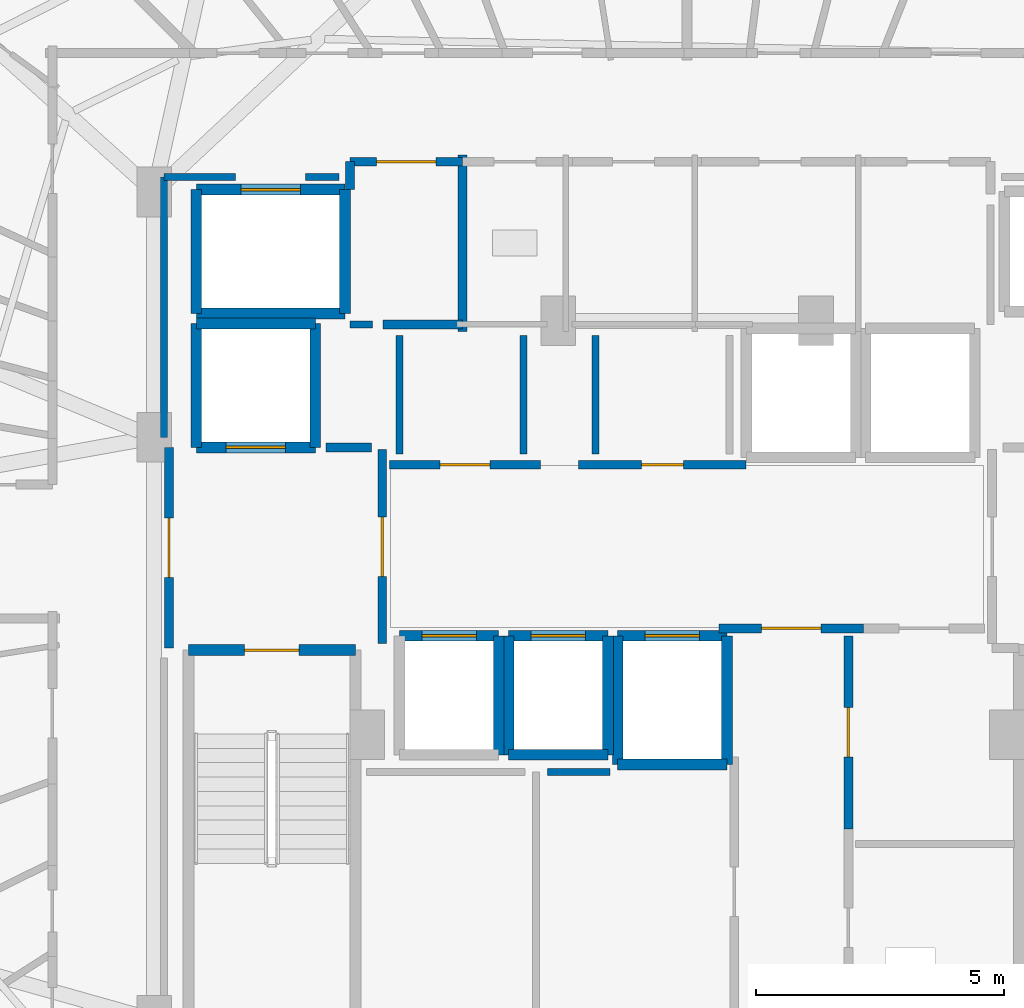
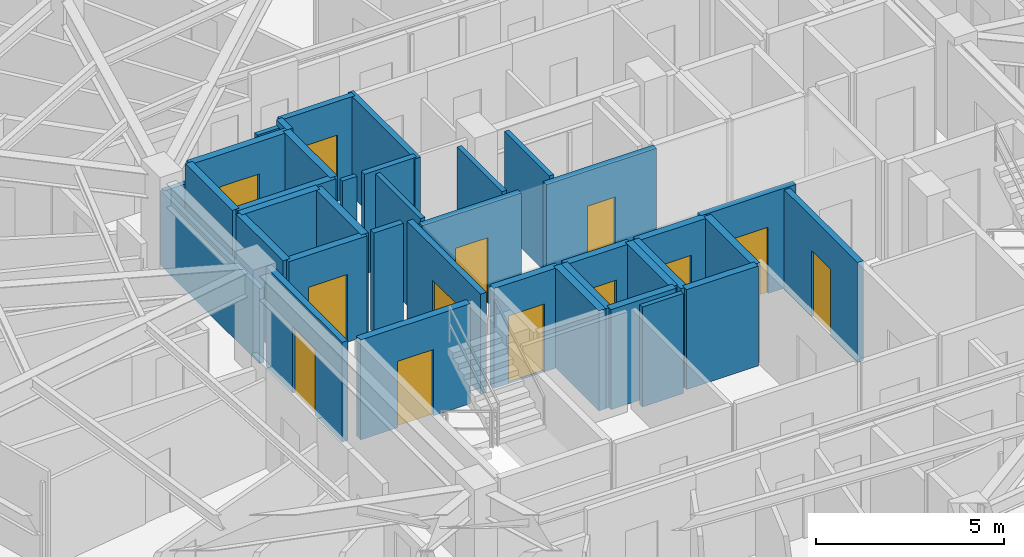
# One storey, part 26 of 34: 38 walls, 13 doors, 13 openings.
"""IFC4 building model written with IfcOpenShell, lengths in metres."""

from ifc_helpers import new_model, si_unit, direction, frame, frame_2d, origin, place, context, subcontext, project, spatial, rectangle, extrude, material, layer, layer_set, type_object, element, fill, save


model = new_model("IFC4")

# Units and contexts
model_context = context("Model", 3, precision=1e-05, world=origin(), true_north=direction((0.0, 1.0)))
body_context = subcontext(model_context, "Body", "Model", "MODEL_VIEW")
ifc_project = project(units=[si_unit("LENGTHUNIT", "METRE"), si_unit("AREAUNIT", "SQUARE_METRE"), si_unit("VOLUMEUNIT", "CUBIC_METRE"), si_unit("PLANEANGLEUNIT", "RADIAN"), si_unit("MASSUNIT", "GRAM", prefix="KILO")], contexts=[model_context])

# Site, building, storey
site_placement = place(None, origin())
site = spatial("IfcSite", under=ifc_project, at=site_placement, CompositionType="ELEMENT")
building_placement = place(site_placement, origin())
building = spatial("IfcBuilding", under=site, at=building_placement, Name="Vorneva Point Tower", CompositionType="ELEMENT")
storey_placement = place(building_placement, frame((0.0, 0.0, 186.10009765625)))
storey = spatial("IfcBuildingStorey", under=building, at=storey_placement, Name="L50", CompositionType="ELEMENT", Elevation=186.10009765625)

# Wall, opening, door
ifc_material_1 = material(Name="Concrete B60 (C50/60)", Category="concrete")
ifc_layer_1 = layer(ifc_material_1, 0.35009765625)
ifc_layer_set_1 = layer_set([ifc_layer_1], Name="Concrete B60 (C50/60)")
wall_type_1 = type_object("IfcWallType", Name="WL-CORE-350", PredefinedType="SHEAR", material=ifc_layer_set_1)
wall_1_placement = place(storey_placement, frame((28.10009765625, 28.0, 0.0), z_axis=(0.0, 0.0, 1.0), x_axis=(1.0, 0.0, 0.0)))
wall_1 = element("IfcWall", 1, at=wall_1_placement, inside=storey, type_object=wall_type_1, Name="L50 Lift FFL1 Shaft Wall -Y", PredefinedType="SHEAR", context=body_context, shape_type="SweptSolid", body=[
    extrude(rectangle(XDim=2.39990234375, YDim=0.219970703125, at=frame_2d((1.199951171875, 0.0))), origin(), (0.0, 0.0, 1.0), 3.239990234375),
])
opening_1_placement = place(wall_1_placement, frame((0.60009765625, 0.0, 0.0)))
opening_1 = element("IfcOpeningElement", 2, at=opening_1_placement, cuts=wall_1, Name="Opening LD-02", PredefinedType="OPENING", context=body_context, shape_type="SweptSolid", body=[
    extrude(rectangle(XDim=1.199951171875, YDim=2.199951171875, at=frame_2d((0.60009765625, 1.10009765625))), frame((0.0, 0.125, 0.0), z_axis=(0.0, -1.0, 0.0), x_axis=(1.0, 0.0, 0.0)), (0.0, 0.0, 1.0), 0.249755859375),
])
ifc_material_2 = material(Name="Brushed stainless steel S304", Category="steel")
door_type_1 = type_object("IfcDoorType", Name="LD-FIRE-1200", OperationType="SLIDING_TO_LEFT", PredefinedType="DOOR", material=ifc_material_2)
door_1_placement = place(opening_1_placement, origin())
door_1 = element("IfcDoor", 3, at=door_1_placement, inside=storey, type_object=door_type_1, Name="L50 Lift FFL1 Sliding Landing Door", OperationType="SLIDING_TO_LEFT", OverallHeight=2.199951171875, OverallWidth=1.199951171875, PredefinedType="DOOR", context=body_context, shape_type="SweptSolid", body=[
    extrude(rectangle(XDim=1.199951171875, YDim=2.199951171875, at=frame_2d((0.60009765625, 1.10009765625))), frame((0.0, 0.02490234375, 0.0), z_axis=(0.0, -1.0, 0.0), x_axis=(1.0, 0.0, 0.0)), (0.0, 0.0, 1.0), 0.050048828125),
])
fill(opening_1, door_1)

# Walls
wall_2_placement = place(storey_placement, frame((30.5, 28.0, 0.0), z_axis=(0.0, 0.0, 1.0), x_axis=(0.0, 1.0, 0.0)))
element("IfcWall", 4, at=wall_2_placement, inside=storey, type_object=wall_type_1, Name="L50 Lift FFL1 Shaft Wall +X", PredefinedType="SHEAR", context=body_context, shape_type="SweptSolid", body=[
    extrude(rectangle(XDim=2.5, YDim=0.219970703125, at=frame_2d((1.25, 0.0))), origin(), (0.0, 0.0, 1.0), 3.239990234375),
])
wall_3_placement = place(storey_placement, frame((30.5, 30.5, 0.0), z_axis=(0.0, 0.0, 1.0), x_axis=(-1.0, 0.0, 0.0)))
element("IfcWall", 5, at=wall_3_placement, inside=storey, type_object=wall_type_1, Name="L50 Lift FFL1 Shaft Wall +Y", PredefinedType="SHEAR", context=body_context, shape_type="SweptSolid", body=[
    extrude(rectangle(XDim=2.39990234375, YDim=0.219970703125, at=frame_2d((1.199951171875, 0.0))), origin(), (0.0, 0.0, 1.0), 3.239990234375),
])
wall_4_placement = place(storey_placement, frame((28.10009765625, 30.5, 0.0), z_axis=(0.0, 0.0, 1.0), x_axis=(0.0, -1.0, 0.0)))
element("IfcWall", 6, at=wall_4_placement, inside=storey, type_object=wall_type_1, Name="L50 Lift FFL1 Shaft Wall -X", PredefinedType="SHEAR", context=body_context, shape_type="SweptSolid", body=[
    extrude(rectangle(XDim=2.5, YDim=0.219970703125, at=frame_2d((1.25, 0.0))), origin(), (0.0, 0.0, 1.0), 3.239990234375),
])
ifc_material_3 = material(Name="Fire-rated acoustic gypsum stud partition", Category="gypsum")
ifc_layer_2 = layer(ifc_material_3, 0.139892578125)
ifc_layer_set_2 = layer_set([ifc_layer_2], Name="Fire-rated acoustic gypsum stud partition")
wall_type_2 = type_object("IfcWallType", Name="WL-PART-140", PredefinedType="PARTITIONING", material=ifc_layer_set_2)
wall_5_placement = place(storey_placement, frame((31.199951171875, 30.47998046875, 0.0), z_axis=(0.0, 0.0, 1.0), x_axis=(1.0, 0.0, 0.0)))
element("IfcWall", 7, at=wall_5_placement, inside=storey, type_object=wall_type_2, Name="L50 Interior Closure Partition 199", PredefinedType="PARTITIONING", context=body_context, shape_type="SweptSolid", body=[
    extrude(rectangle(XDim=0.449951171875, YDim=0.139892578125, at=frame_2d((0.22509765625, 0.0))), origin(), (0.0, 0.0, 1.0), 3.239990234375),
])
wall_6_placement = place(storey_placement, frame((36.43896484375, 21.449951171875, 0.0), z_axis=(0.0, 0.0, 1.0), x_axis=(-1.0, 0.0, 0.0)))
element("IfcWall", 8, at=wall_6_placement, inside=storey, type_object=wall_type_2, Name="L50 Interior Closure Partition 202", PredefinedType="PARTITIONING", context=body_context, shape_type="SweptSolid", body=[
    extrude(rectangle(XDim=1.259033203125, YDim=0.139892578125, at=frame_2d((0.62939453125, 0.0))), origin(), (0.0, 0.0, 1.0), 3.239990234375),
])
for number, where, z_axis, x_axis, name in (
    (9, (32.199951171875, 30.260009765625, 0.0), (0.0, 0.0, 1.0), (0.0, -1.0, 0.0), "L50 Interior Closure Partition 203"),
    (10, (34.699951171875, 27.8701171875, 0.0), (0.0, 0.0, 1.0), (0.0, 1.0, 0.0), "L50 Interior Closure Partition 204"),
    (11, (36.14990234375, 30.260009765625, 0.0), (0.0, 0.0, 1.0), (0.0, -1.0, 0.0), "L50 Interior Closure Partition 205"),
):
    element("IfcWall", number, at=place(storey_placement, frame(where, z_axis=z_axis, x_axis=x_axis)), inside=storey, type_object=wall_type_2, Name=name, PredefinedType="PARTITIONING", context=body_context, shape_type="SweptSolid", body=[
        extrude(rectangle(XDim=2.389892578125, YDim=0.139892578125, at=frame_2d((1.19482421875, 0.0))), origin(), (0.0, 0.0, 1.0), 3.239990234375),
    ])
wall_7_placement = place(storey_placement, frame((30.97998046875, 33.449951171875, 0.0), z_axis=(0.0, 0.0, 1.0), x_axis=(-1.0, 0.0, 0.0)))
element("IfcWall", 12, at=wall_7_placement, inside=storey, type_object=wall_type_2, Name="L50 Interior Closure Partition 209", PredefinedType="PARTITIONING", context=body_context, shape_type="SweptSolid", body=[
    extrude(rectangle(XDim=0.674072265625, YDim=0.139892578125, at=frame_2d((0.3369140625, 0.0))), origin(), (0.0, 0.0, 1.0), 3.239990234375),
])
wall_8_placement = place(storey_placement, frame((28.89404296875, 33.449951171875, 0.0), z_axis=(0.0, 0.0, 1.0), x_axis=(-1.0, 0.0, 0.0)))
element("IfcWall", 13, at=wall_8_placement, inside=storey, type_object=wall_type_2, Name="L50 Interior Closure Partition 210", PredefinedType="PARTITIONING", context=body_context, shape_type="SweptSolid", body=[
    extrude(rectangle(XDim=1.444091796875, YDim=0.139892578125, at=frame_2d((0.72216796875, 0.0))), origin(), (0.0, 0.0, 1.0), 2.431884765625),
])
wall_9_placement = place(storey_placement, frame((27.449951171875, 33.449951171875, 0.0), z_axis=(0.0, 0.0, 1.0), x_axis=(0.0, -1.0, 0.0)))
element("IfcWall", 14, at=wall_9_placement, inside=storey, type_object=wall_type_2, Name="L50 Interior Closure Partition 211", PredefinedType="PARTITIONING", context=body_context, shape_type="SweptSolid", body=[
    extrude(rectangle(XDim=5.25390625, YDim=0.139892578125, at=frame_2d((2.626953125, 0.0))), origin(), (0.0, 0.0, 1.0), 2.431884765625),
])

# Wall, opening, door
ifc_material_4 = material(Name="Autoclaved aerated concrete blockwork", Category="masonry")
ifc_layer_3 = layer(ifc_material_4, 0.179931640625)
ifc_layer_set_3 = layer_set([ifc_layer_3], Name="Autoclaved aerated concrete blockwork")
wall_type_3 = type_object("IfcWallType", Name="WL-PART-180", PredefinedType="PARTITIONING", material=ifc_layer_set_3)
wall_10_placement = place(storey_placement, frame((31.85009765625, 24.044921875, 0.0), z_axis=(0.0, 0.0, 1.0), x_axis=(0.0, 1.0, 0.0)))
wall_10 = element("IfcWall", 15, at=wall_10_placement, inside=storey, type_object=wall_type_3, Name="L50 Interior Partition 001", PredefinedType="PARTITIONING", context=body_context, shape_type="SweptSolid", body=[
    extrude(rectangle(XDim=3.91015625, YDim=0.179931640625, at=frame_2d((1.955078125, 0.0))), origin(), (0.0, 0.0, 1.0), 3.239990234375),
])
opening_2_placement = place(wall_10_placement, frame((1.35498046875, 0.0, 0.0)))
opening_2 = element("IfcOpeningElement", 16, at=opening_2_placement, cuts=wall_10, Name="Opening FD-02", PredefinedType="OPENING", context=body_context, shape_type="SweptSolid", body=[
    extrude(rectangle(XDim=1.199951171875, YDim=2.14990234375, at=frame_2d((0.60009765625, 1.074951171875))), frame((0.0, 0.10498046875, 0.0), z_axis=(0.0, -1.0, 0.0), x_axis=(1.0, 0.0, 0.0)), (0.0, 0.0, 1.0), 0.209716796875),
])
ifc_material_5 = material(Name="Fire-rated powder-coated steel", Category="steel")
door_type_2 = type_object("IfcDoorType", Name="DR-FFL-1200", OperationType="NOTDEFINED", PredefinedType="DOOR", material=ifc_material_5)
door_2_placement = place(opening_2_placement, origin())
door_2 = element("IfcDoor", 17, at=door_2_placement, inside=storey, type_object=door_type_2, Name="L50 Door West Firefighting Lobby / Central Lift Lobby", OperationType="SINGLE_SWING_LEFT", OverallHeight=2.14990234375, OverallWidth=1.199951171875, PredefinedType="DOOR", context=body_context, shape_type="SweptSolid", body=[
    extrude(rectangle(XDim=1.199951171875, YDim=2.14990234375, at=frame_2d((0.60009765625, 1.074951171875))), frame((0.0, 0.02490234375, 0.0), z_axis=(0.0, -1.0, 0.0), x_axis=(1.0, 0.0, 0.0)), (0.0, 0.0, 1.0), 0.050048828125),
])
fill(opening_2, door_2)

wall_11_placement = place(storey_placement, frame((27.550048828125, 28.0, 0.0), z_axis=(0.0, 0.0, 1.0), x_axis=(0.0, -1.0, 0.0)))
wall_11 = element("IfcWall", 18, at=wall_11_placement, inside=storey, type_object=wall_type_3, Name="L50 Interior Partition 002", PredefinedType="PARTITIONING", context=body_context, shape_type="SweptSolid", body=[
    extrude(rectangle(XDim=4.050048828125, YDim=0.179931640625, at=frame_2d((2.02490234375, 0.0))), origin(), (0.0, 0.0, 1.0), 3.239990234375),
])
opening_3_placement = place(wall_11_placement, frame((1.425048828125, 0.0, 0.0)))
opening_3 = element("IfcOpeningElement", 19, at=opening_3_placement, cuts=wall_11, Name="Opening FD-02", PredefinedType="OPENING", context=body_context, shape_type="SweptSolid", body=[
    extrude(rectangle(XDim=1.199951171875, YDim=2.14990234375, at=frame_2d((0.60009765625, 1.074951171875))), frame((0.0, 0.10498046875, 0.0), z_axis=(0.0, -1.0, 0.0), x_axis=(1.0, 0.0, 0.0)), (0.0, 0.0, 1.0), 0.209716796875),
])
door_3_placement = place(opening_3_placement, origin())
door_3 = element("IfcDoor", 20, at=door_3_placement, inside=storey, type_object=door_type_2, Name="L50 Door West Firefighting Lobby / L50 Circulation Corridor", OperationType="SINGLE_SWING_RIGHT", OverallHeight=2.14990234375, OverallWidth=1.199951171875, PredefinedType="DOOR", context=body_context, shape_type="SweptSolid", body=[
    extrude(rectangle(XDim=1.199951171875, YDim=2.14990234375, at=frame_2d((0.60009765625, 1.074951171875))), frame((0.0, 0.02490234375, 0.0), z_axis=(0.0, -1.0, 0.0), x_axis=(1.0, 0.0, 0.0)), (0.0, 0.0, 1.0), 0.050048828125),
])
fill(opening_3, door_3)

# Walls
wall_12_placement = place(storey_placement, frame((33.469970703125, 30.340087890625, 0.0), z_axis=(0.0, 0.0, 1.0), x_axis=(0.0, 1.0, 0.0)))
element("IfcWall", 21, at=wall_12_placement, inside=storey, type_object=wall_type_3, Name="L50 Interior Partition 006", PredefinedType="PARTITIONING", context=body_context, shape_type="SweptSolid", body=[
    extrude(rectangle(XDim=3.559814453125, YDim=0.179931640625, at=frame_2d((1.77978515625, 0.0))), origin(), (0.0, 0.0, 1.0), 3.239990234375),
])
wall_13_placement = place(storey_placement, frame((31.8701171875, 30.47998046875, 0.0), z_axis=(0.0, 0.0, 1.0), x_axis=(1.0, 0.0, 0.0)))
element("IfcWall", 22, at=wall_13_placement, inside=storey, type_object=wall_type_3, Name="L50 Interior Partition 007", PredefinedType="PARTITIONING", context=body_context, shape_type="SweptSolid", body=[
    extrude(rectangle(XDim=1.599853515625, YDim=0.179931640625, at=frame_2d((0.7998046875, 0.0))), origin(), (0.0, 0.0, 1.0), 3.239990234375),
])

# Wall, opening, door
wall_14_placement = place(storey_placement, frame((33.469970703125, 33.760009765625, 0.0), z_axis=(0.0, 0.0, 1.0), x_axis=(-1.0, 0.0, 0.0)))
wall_14 = element("IfcWall", 23, at=wall_14_placement, inside=storey, type_object=wall_type_3, Name="L50 Interior Partition 008", PredefinedType="PARTITIONING", context=body_context, shape_type="SweptSolid", body=[
    extrude(rectangle(XDim=2.27001953125, YDim=0.179931640625, at=frame_2d((1.135009765625, 0.0))), origin(), (0.0, 0.0, 1.0), 3.239990234375),
])
opening_4_placement = place(wall_14_placement, frame((0.534912109375, 0.0, 0.0)))
opening_4 = element("IfcOpeningElement", 24, at=opening_4_placement, cuts=wall_14, Name="Opening FD-02", PredefinedType="OPENING", context=body_context, shape_type="SweptSolid", body=[
    extrude(rectangle(XDim=1.199951171875, YDim=2.14990234375, at=frame_2d((0.60009765625, 1.074951171875))), frame((0.0, 0.10498046875, 0.0), z_axis=(0.0, -1.0, 0.0), x_axis=(1.0, 0.0, 0.0)), (0.0, 0.0, 1.0), 0.209716796875),
])
door_4_placement = place(opening_4_placement, origin())
door_4 = element("IfcDoor", 25, at=door_4_placement, inside=storey, type_object=door_type_2, Name="L50 Door Service Lift Lobby / L50 Circulation Corridor", OperationType="SINGLE_SWING_LEFT", OverallHeight=2.14990234375, OverallWidth=1.199951171875, PredefinedType="DOOR", context=body_context, shape_type="SweptSolid", body=[
    extrude(rectangle(XDim=1.199951171875, YDim=2.14990234375, at=frame_2d((0.60009765625, 1.074951171875))), frame((0.0, 0.02490234375, 0.0), z_axis=(0.0, -1.0, 0.0), x_axis=(1.0, 0.0, 0.0)), (0.0, 0.0, 1.0), 0.050048828125),
])
fill(opening_4, door_4)

# Wall
wall_15_placement = place(storey_placement, frame((31.199951171875, 33.760009765625, 0.0), z_axis=(0.0, 0.0, 1.0), x_axis=(0.0, -1.0, 0.0)))
element("IfcWall", 26, at=wall_15_placement, inside=storey, type_object=wall_type_3, Name="L50 Interior Partition 009", PredefinedType="PARTITIONING", context=body_context, shape_type="SweptSolid", body=[
    extrude(rectangle(XDim=0.56005859375, YDim=0.179931640625, at=frame_2d((0.280029296875, 0.0))), origin(), (0.0, 0.0, 1.0), 3.239990234375),
])

# Wall, opening, door
wall_16_placement = place(storey_placement, frame((38.64501953125, 24.35009765625, 0.0), z_axis=(0.0, 0.0, 1.0), x_axis=(1.0, 0.0, 0.0)))
wall_16 = element("IfcWall", 27, at=wall_16_placement, inside=storey, type_object=wall_type_3, Name="L50 Interior Partition 010", PredefinedType="PARTITIONING", context=body_context, shape_type="SweptSolid", body=[
    extrude(rectangle(XDim=2.909912109375, YDim=0.179931640625, at=frame_2d((1.455078125, 0.0))), origin(), (0.0, 0.0, 1.0), 3.239990234375),
])
opening_5_placement = place(wall_16_placement, frame((0.85498046875, 0.0, 0.0)))
opening_5 = element("IfcOpeningElement", 28, at=opening_5_placement, cuts=wall_16, Name="Opening FD-02", PredefinedType="OPENING", context=body_context, shape_type="SweptSolid", body=[
    extrude(rectangle(XDim=1.199951171875, YDim=2.14990234375, at=frame_2d((0.60009765625, 1.074951171875))), frame((0.0, 0.10498046875, 0.0), z_axis=(0.0, -1.0, 0.0), x_axis=(1.0, 0.0, 0.0)), (0.0, 0.0, 1.0), 0.209716796875),
])
door_5_placement = place(opening_5_placement, origin())
door_5 = element("IfcDoor", 29, at=door_5_placement, inside=storey, type_object=door_type_2, Name="L50 Door Central Lift Lobby / Core Service Lobby", OperationType="SINGLE_SWING_RIGHT", OverallHeight=2.14990234375, OverallWidth=1.199951171875, PredefinedType="DOOR", context=body_context, shape_type="SweptSolid", body=[
    extrude(rectangle(XDim=1.199951171875, YDim=2.14990234375, at=frame_2d((0.60009765625, 1.074951171875))), frame((0.0, 0.02490234375, 0.0), z_axis=(0.0, -1.0, 0.0), x_axis=(1.0, 0.0, 0.0)), (0.0, 0.0, 1.0), 0.050048828125),
])
fill(opening_5, door_5)

wall_17_placement = place(storey_placement, frame((35.0400390625, 27.64990234375, 0.0), z_axis=(0.0, 0.0, 1.0), x_axis=(-1.0, 0.0, 0.0)))
wall_17 = element("IfcWall", 30, at=wall_17_placement, inside=storey, type_object=wall_type_3, Name="L50 Interior Partition 012", PredefinedType="PARTITIONING", context=body_context, shape_type="SweptSolid", body=[
    extrude(rectangle(XDim=3.0400390625, YDim=0.179931640625, at=frame_2d((1.52001953125, 0.0))), origin(), (0.0, 0.0, 1.0), 3.239990234375),
])
opening_6_placement = place(wall_17_placement, frame((1.02001953125, 0.0, 0.0)))
opening_6 = element("IfcOpeningElement", 31, at=opening_6_placement, cuts=wall_17, Name="Opening UD-01", PredefinedType="OPENING", context=body_context, shape_type="SweptSolid", body=[
    extrude(rectangle(XDim=1.0, YDim=2.14990234375, at=frame_2d((0.5, 1.074951171875))), frame((0.0, 0.10498046875, 0.0), z_axis=(0.0, -1.0, 0.0), x_axis=(1.0, 0.0, 0.0)), (0.0, 0.0, 1.0), 0.209716796875),
])
ifc_material_6 = material(Name="Engineered oak fire-rated door leaf", Category="wood")
door_type_3 = type_object("IfcDoorType", Name="DR-UNIT-1000", OperationType="NOTDEFINED", PredefinedType="DOOR", material=ifc_material_6)
door_6_placement = place(opening_6_placement, origin())
door_6 = element("IfcDoor", 32, at=door_6_placement, inside=storey, type_object=door_type_3, Name="L50 Door Central Lift Lobby / Reclaimed Core Lounge", OperationType="SINGLE_SWING_RIGHT", OverallHeight=2.14990234375, OverallWidth=1.0, PredefinedType="DOOR", context=body_context, shape_type="SweptSolid", body=[
    extrude(rectangle(XDim=1.0, YDim=2.14990234375, at=frame_2d((0.5, 1.074951171875))), frame((0.0, 0.02490234375, 0.0), z_axis=(0.0, -1.0, 0.0), x_axis=(1.0, 0.0, 0.0)), (0.0, 0.0, 1.0), 0.050048828125),
])
fill(opening_6, door_6)

wall_18_placement = place(storey_placement, frame((39.18994140625, 27.64990234375, 0.0), z_axis=(0.0, 0.0, 1.0), x_axis=(-1.0, 0.0, 0.0)))
wall_18 = element("IfcWall", 33, at=wall_18_placement, inside=storey, type_object=wall_type_3, Name="L50 Interior Partition 013", PredefinedType="PARTITIONING", context=body_context, shape_type="SweptSolid", body=[
    extrude(rectangle(XDim=3.3798828125, YDim=0.179931640625, at=frame_2d((1.68994140625, 0.0))), origin(), (0.0, 0.0, 1.0), 3.239990234375),
])
opening_7_placement = place(wall_18_placement, frame((1.264892578125, 0.0, 0.0)))
opening_7 = element("IfcOpeningElement", 34, at=opening_7_placement, cuts=wall_18, Name="Opening ID-02", PredefinedType="OPENING", context=body_context, shape_type="SweptSolid", body=[
    extrude(rectangle(XDim=0.85009765625, YDim=2.10009765625, at=frame_2d((0.425048828125, 1.050048828125))), frame((0.0, 0.10498046875, 0.0), z_axis=(0.0, -1.0, 0.0), x_axis=(1.0, 0.0, 0.0)), (0.0, 0.0, 1.0), 0.209716796875),
])
door_type_4 = type_object("IfcDoorType", Name="DR-BATH-850", OperationType="NOTDEFINED", PredefinedType="DOOR", material=ifc_material_6)
door_7_placement = place(opening_7_placement, origin())
door_7 = element("IfcDoor", 35, at=door_7_placement, inside=storey, type_object=door_type_4, Name="L50 Door Central Lift Lobby / Reclaimed Core Archive Store", OperationType="SINGLE_SWING_LEFT", OverallHeight=2.10009765625, OverallWidth=0.85009765625, PredefinedType="DOOR", context=body_context, shape_type="SweptSolid", body=[
    extrude(rectangle(XDim=0.85009765625, YDim=2.10009765625, at=frame_2d((0.425048828125, 1.050048828125))), frame((0.0, 0.02490234375, 0.0), z_axis=(0.0, -1.0, 0.0), x_axis=(1.0, 0.0, 0.0)), (0.0, 0.0, 1.0), 0.050048828125),
])
fill(opening_7, door_7)

wall_19_placement = place(storey_placement, frame((41.25, 20.304931640625, 0.0), z_axis=(0.0, 0.0, 1.0), x_axis=(0.0, 1.0, 0.0)))
wall_19 = element("IfcWall", 36, at=wall_19_placement, inside=storey, type_object=wall_type_3, Name="L50 Interior Partition 015", PredefinedType="PARTITIONING", context=body_context, shape_type="SweptSolid", body=[
    extrude(rectangle(XDim=3.89501953125, YDim=0.179931640625, at=frame_2d((1.947509765625, 0.0))), origin(), (0.0, 0.0, 1.0), 3.239990234375),
])
opening_8_placement = place(wall_19_placement, frame((1.447509765625, 0.0, 0.0)))
opening_8 = element("IfcOpeningElement", 37, at=opening_8_placement, cuts=wall_19, Name="Opening UD-01", PredefinedType="OPENING", context=body_context, shape_type="SweptSolid", body=[
    extrude(rectangle(XDim=1.0, YDim=2.14990234375, at=frame_2d((0.5, 1.074951171875))), frame((0.0, 0.10498046875, 0.0), z_axis=(0.0, -1.0, 0.0), x_axis=(1.0, 0.0, 0.0)), (0.0, 0.0, 1.0), 0.209716796875),
])
door_8_placement = place(opening_8_placement, origin())
door_8 = element("IfcDoor", 38, at=door_8_placement, inside=storey, type_object=door_type_3, Name="L50 Door Core Service Lobby / Floor Management Office", OperationType="SINGLE_SWING_LEFT", OverallHeight=2.14990234375, OverallWidth=1.0, PredefinedType="DOOR", context=body_context, shape_type="SweptSolid", body=[
    extrude(rectangle(XDim=1.0, YDim=2.14990234375, at=frame_2d((0.5, 1.074951171875))), frame((0.0, 0.02490234375, 0.0), z_axis=(0.0, -1.0, 0.0), x_axis=(1.0, 0.0, 0.0)), (0.0, 0.0, 1.0), 0.050048828125),
])
fill(opening_8, door_8)

# Wall
wall_20_placement = place(storey_placement, frame((31.635009765625, 28.0, 0.0), z_axis=(0.0, 0.0, 1.0), x_axis=(-1.0, 0.0, 0.0)))
element("IfcWall", 39, at=wall_20_placement, inside=storey, type_object=wall_type_3, Name="L50 Interior Closure Partition 197", PredefinedType="PARTITIONING", context=body_context, shape_type="SweptSolid", body=[
    extrude(rectangle(XDim=0.9150390625, YDim=0.179931640625, at=frame_2d((0.45751953125, 0.0))), origin(), (0.0, 0.0, 1.0), 3.239990234375),
])

# Wall, opening, door
ifc_material_7 = material(Name="Concrete B50 (C40/50)", Category="concrete")
ifc_layer_4 = layer(ifc_material_7, 0.219970703125)
ifc_layer_set_4 = layer_set([ifc_layer_4], Name="Concrete B50 (C40/50)")
wall_type_4 = type_object("IfcWallType", Name="WL-SHFT-220", PredefinedType="SOLIDWALL", material=ifc_layer_set_4)
wall_21_placement = place(storey_placement, frame((27.93994140625, 23.909912109375, 0.0), z_axis=(0.0, 0.0, 1.0), x_axis=(1.0, 0.0, 0.0)))
wall_21 = element("IfcWall", 40, at=wall_21_placement, inside=storey, type_object=wall_type_4, Name="L50 Exit Stair ST1 Shaft Wall near", PredefinedType="SOLIDWALL", context=body_context, shape_type="SweptSolid", body=[
    extrude(rectangle(XDim=3.3701171875, YDim=0.219970703125, at=frame_2d((1.68505859375, 0.0))), origin(), (0.0, 0.0, 1.0), 3.239990234375),
])
opening_9_placement = place(wall_21_placement, frame((1.135009765625, 0.0, 0.0)))
opening_9 = element("IfcOpeningElement", 41, at=opening_9_placement, cuts=wall_21, Name="Opening FD-01", PredefinedType="OPENING", context=body_context, shape_type="SweptSolid", body=[
    extrude(rectangle(XDim=1.10009765625, YDim=2.14990234375, at=frame_2d((0.550048828125, 1.074951171875))), frame((0.0, 0.125, 0.0), z_axis=(0.0, -1.0, 0.0), x_axis=(1.0, 0.0, 0.0)), (0.0, 0.0, 1.0), 0.249755859375),
])
door_type_5 = type_object("IfcDoorType", Name="DR-STAIR-1100", OperationType="NOTDEFINED", PredefinedType="DOOR", material=ifc_material_5)
door_9_placement = place(opening_9_placement, origin())
door_9 = element("IfcDoor", 42, at=door_9_placement, inside=storey, type_object=door_type_5, Name="L50 Exit Stair ST1 Fire Door", OperationType="SINGLE_SWING_RIGHT", OverallHeight=2.14990234375, OverallWidth=1.10009765625, PredefinedType="DOOR", context=body_context, shape_type="SweptSolid", body=[
    extrude(rectangle(XDim=1.10009765625, YDim=2.14990234375, at=frame_2d((0.550048828125, 1.074951171875))), frame((0.0, 0.02490234375, 0.0), z_axis=(0.0, -1.0, 0.0), x_axis=(1.0, 0.0, 0.0)), (0.0, 0.0, 1.0), 0.050048828125),
])
fill(opening_9, door_9)

# Wall
wall_22_placement = place(storey_placement, frame((34.199951171875, 21.800048828125, 0.0), z_axis=(0.0, 0.0, 1.0), x_axis=(0.0, 1.0, 0.0)))
element("IfcWall", 43, at=wall_22_placement, inside=storey, type_object=wall_type_4, Name="L50 Lift PL4 Shaft Wall +X", PredefinedType="SOLIDWALL", context=body_context, shape_type="SweptSolid", body=[
    extrude(rectangle(XDim=2.39990234375, YDim=0.219970703125, at=frame_2d((1.199951171875, 0.0))), origin(), (0.0, 0.0, 1.0), 3.239990234375),
])

# Wall, opening, door
wall_23_placement = place(storey_placement, frame((34.199951171875, 24.199951171875, 0.0), z_axis=(0.0, 0.0, 1.0), x_axis=(-1.0, 0.0, 0.0)))
wall_23 = element("IfcWall", 44, at=wall_23_placement, inside=storey, type_object=wall_type_4, Name="L50 Lift PL4 Shaft Wall +Y", PredefinedType="SOLIDWALL", context=body_context, shape_type="SweptSolid", body=[
    extrude(rectangle(XDim=2.0, YDim=0.219970703125, at=frame_2d((1.0, 0.0))), origin(), (0.0, 0.0, 1.0), 3.239990234375),
])
opening_10_placement = place(wall_23_placement, frame((0.449951171875, 0.0, 0.0)))
opening_10 = element("IfcOpeningElement", 45, at=opening_10_placement, cuts=wall_23, Name="Opening LD-01", PredefinedType="OPENING", context=body_context, shape_type="SweptSolid", body=[
    extrude(rectangle(XDim=1.10009765625, YDim=2.199951171875, at=frame_2d((0.550048828125, 1.10009765625))), frame((0.0, 0.125, 0.0), z_axis=(0.0, -1.0, 0.0), x_axis=(1.0, 0.0, 0.0)), (0.0, 0.0, 1.0), 0.249755859375),
])
door_type_6 = type_object("IfcDoorType", Name="LD-PASS-1100", OperationType="SLIDING_TO_LEFT", PredefinedType="DOOR", material=ifc_material_2)
door_10_placement = place(opening_10_placement, origin())
door_10 = element("IfcDoor", 46, at=door_10_placement, inside=storey, type_object=door_type_6, Name="L50 Lift PL4 Sliding Landing Door", OperationType="SLIDING_TO_LEFT", OverallHeight=2.199951171875, OverallWidth=1.10009765625, PredefinedType="DOOR", context=body_context, shape_type="SweptSolid", body=[
    extrude(rectangle(XDim=1.10009765625, YDim=2.199951171875, at=frame_2d((0.550048828125, 1.10009765625))), frame((0.0, 0.02490234375, 0.0), z_axis=(0.0, -1.0, 0.0), x_axis=(1.0, 0.0, 0.0)), (0.0, 0.0, 1.0), 0.050048828125),
])
fill(opening_10, door_10)

# Walls
wall_24_placement = place(storey_placement, frame((34.39990234375, 21.800048828125, 0.0), z_axis=(0.0, 0.0, 1.0), x_axis=(1.0, 0.0, 0.0)))
element("IfcWall", 47, at=wall_24_placement, inside=storey, type_object=wall_type_4, Name="L50 Lift PL5 Shaft Wall -Y", PredefinedType="SOLIDWALL", context=body_context, shape_type="SweptSolid", body=[
    extrude(rectangle(XDim=2.0, YDim=0.219970703125, at=frame_2d((1.0, 0.0))), origin(), (0.0, 0.0, 1.0), 3.239990234375),
])
wall_25_placement = place(storey_placement, frame((36.39990234375, 21.800048828125, 0.0), z_axis=(0.0, 0.0, 1.0), x_axis=(0.0, 1.0, 0.0)))
element("IfcWall", 48, at=wall_25_placement, inside=storey, type_object=wall_type_4, Name="L50 Lift PL5 Shaft Wall +X", PredefinedType="SOLIDWALL", context=body_context, shape_type="SweptSolid", body=[
    extrude(rectangle(XDim=2.39990234375, YDim=0.219970703125, at=frame_2d((1.199951171875, 0.0))), origin(), (0.0, 0.0, 1.0), 3.239990234375),
])

# Wall, opening, door
wall_26_placement = place(storey_placement, frame((36.39990234375, 24.199951171875, 0.0), z_axis=(0.0, 0.0, 1.0), x_axis=(-1.0, 0.0, 0.0)))
wall_26 = element("IfcWall", 49, at=wall_26_placement, inside=storey, type_object=wall_type_4, Name="L50 Lift PL5 Shaft Wall +Y", PredefinedType="SOLIDWALL", context=body_context, shape_type="SweptSolid", body=[
    extrude(rectangle(XDim=2.0, YDim=0.219970703125, at=frame_2d((1.0, 0.0))), origin(), (0.0, 0.0, 1.0), 3.239990234375),
])
opening_11_placement = place(wall_26_placement, frame((0.449951171875, 0.0, 0.0)))
opening_11 = element("IfcOpeningElement", 50, at=opening_11_placement, cuts=wall_26, Name="Opening LD-01", PredefinedType="OPENING", context=body_context, shape_type="SweptSolid", body=[
    extrude(rectangle(XDim=1.10009765625, YDim=2.199951171875, at=frame_2d((0.550048828125, 1.10009765625))), frame((0.0, 0.125, 0.0), z_axis=(0.0, -1.0, 0.0), x_axis=(1.0, 0.0, 0.0)), (0.0, 0.0, 1.0), 0.249755859375),
])
door_11_placement = place(opening_11_placement, origin())
door_11 = element("IfcDoor", 51, at=door_11_placement, inside=storey, type_object=door_type_6, Name="L50 Lift PL5 Sliding Landing Door", OperationType="SLIDING_TO_LEFT", OverallHeight=2.199951171875, OverallWidth=1.10009765625, PredefinedType="DOOR", context=body_context, shape_type="SweptSolid", body=[
    extrude(rectangle(XDim=1.10009765625, YDim=2.199951171875, at=frame_2d((0.550048828125, 1.10009765625))), frame((0.0, 0.02490234375, 0.0), z_axis=(0.0, -1.0, 0.0), x_axis=(1.0, 0.0, 0.0)), (0.0, 0.0, 1.0), 0.050048828125),
])
fill(opening_11, door_11)

# Walls
wall_27_placement = place(storey_placement, frame((34.39990234375, 24.199951171875, 0.0), z_axis=(0.0, 0.0, 1.0), x_axis=(0.0, -1.0, 0.0)))
element("IfcWall", 52, at=wall_27_placement, inside=storey, type_object=wall_type_4, Name="L50 Lift PL5 Shaft Wall -X", PredefinedType="SOLIDWALL", context=body_context, shape_type="SweptSolid", body=[
    extrude(rectangle(XDim=2.39990234375, YDim=0.219970703125, at=frame_2d((1.199951171875, 0.0))), origin(), (0.0, 0.0, 1.0), 3.239990234375),
])
wall_28_placement = place(storey_placement, frame((36.60009765625, 21.60009765625, 0.0), z_axis=(0.0, 0.0, 1.0), x_axis=(1.0, 0.0, 0.0)))
element("IfcWall", 53, at=wall_28_placement, inside=storey, type_object=wall_type_4, Name="L50 Lift PL6 Shaft Wall -Y", PredefinedType="SOLIDWALL", context=body_context, shape_type="SweptSolid", body=[
    extrude(rectangle(XDim=2.199951171875, YDim=0.219970703125, at=frame_2d((1.10009765625, 0.0))), origin(), (0.0, 0.0, 1.0), 3.239990234375),
])
wall_29_placement = place(storey_placement, frame((38.800048828125, 21.60009765625, 0.0), z_axis=(0.0, 0.0, 1.0), x_axis=(0.0, 1.0, 0.0)))
element("IfcWall", 54, at=wall_29_placement, inside=storey, type_object=wall_type_4, Name="L50 Lift PL6 Shaft Wall +X", PredefinedType="SOLIDWALL", context=body_context, shape_type="SweptSolid", body=[
    extrude(rectangle(XDim=2.599853515625, YDim=0.219970703125, at=frame_2d((1.2998046875, 0.0))), origin(), (0.0, 0.0, 1.0), 3.239990234375),
])

# Wall, opening, door
wall_30_placement = place(storey_placement, frame((38.800048828125, 24.199951171875, 0.0), z_axis=(0.0, 0.0, 1.0), x_axis=(-1.0, 0.0, 0.0)))
wall_30 = element("IfcWall", 55, at=wall_30_placement, inside=storey, type_object=wall_type_4, Name="L50 Lift PL6 Shaft Wall +Y", PredefinedType="SOLIDWALL", context=body_context, shape_type="SweptSolid", body=[
    extrude(rectangle(XDim=2.199951171875, YDim=0.219970703125, at=frame_2d((1.10009765625, 0.0))), origin(), (0.0, 0.0, 1.0), 3.239990234375),
])
opening_12_placement = place(wall_30_placement, frame((0.550048828125, 0.0, 0.0)))
opening_12 = element("IfcOpeningElement", 56, at=opening_12_placement, cuts=wall_30, Name="Opening LD-01", PredefinedType="OPENING", context=body_context, shape_type="SweptSolid", body=[
    extrude(rectangle(XDim=1.10009765625, YDim=2.199951171875, at=frame_2d((0.550048828125, 1.10009765625))), frame((0.0, 0.125, 0.0), z_axis=(0.0, -1.0, 0.0), x_axis=(1.0, 0.0, 0.0)), (0.0, 0.0, 1.0), 0.249755859375),
])
door_12_placement = place(opening_12_placement, origin())
door_12 = element("IfcDoor", 57, at=door_12_placement, inside=storey, type_object=door_type_6, Name="L50 Lift PL6 Sliding Landing Door", OperationType="SLIDING_TO_LEFT", OverallHeight=2.199951171875, OverallWidth=1.10009765625, PredefinedType="DOOR", context=body_context, shape_type="SweptSolid", body=[
    extrude(rectangle(XDim=1.10009765625, YDim=2.199951171875, at=frame_2d((0.550048828125, 1.10009765625))), frame((0.0, 0.02490234375, 0.0), z_axis=(0.0, -1.0, 0.0), x_axis=(1.0, 0.0, 0.0)), (0.0, 0.0, 1.0), 0.050048828125),
])
fill(opening_12, door_12)

# Walls
wall_31_placement = place(storey_placement, frame((36.60009765625, 24.199951171875, 0.0), z_axis=(0.0, 0.0, 1.0), x_axis=(0.0, -1.0, 0.0)))
element("IfcWall", 58, at=wall_31_placement, inside=storey, type_object=wall_type_4, Name="L50 Lift PL6 Shaft Wall -X", PredefinedType="SOLIDWALL", context=body_context, shape_type="SweptSolid", body=[
    extrude(rectangle(XDim=2.599853515625, YDim=0.219970703125, at=frame_2d((1.2998046875, 0.0))), origin(), (0.0, 0.0, 1.0), 3.239990234375),
])
wall_32_placement = place(storey_placement, frame((28.10009765625, 30.699951171875, 0.0), z_axis=(0.0, 0.0, 1.0), x_axis=(1.0, 0.0, 0.0)))
element("IfcWall", 59, at=wall_32_placement, inside=storey, type_object=wall_type_4, Name="L50 Lift SVL1 Shaft Wall -Y", PredefinedType="SOLIDWALL", context=body_context, shape_type="SweptSolid", body=[
    extrude(rectangle(XDim=3.0, YDim=0.219970703125, at=frame_2d((1.5, 0.0))), origin(), (0.0, 0.0, 1.0), 3.239990234375),
])
wall_33_placement = place(storey_placement, frame((31.10009765625, 30.699951171875, 0.0), z_axis=(0.0, 0.0, 1.0), x_axis=(0.0, 1.0, 0.0)))
element("IfcWall", 60, at=wall_33_placement, inside=storey, type_object=wall_type_4, Name="L50 Lift SVL1 Shaft Wall +X", PredefinedType="SOLIDWALL", context=body_context, shape_type="SweptSolid", body=[
    extrude(rectangle(XDim=2.5, YDim=0.219970703125, at=frame_2d((1.25, 0.0))), origin(), (0.0, 0.0, 1.0), 3.239990234375),
])

# Wall, opening, door
wall_34_placement = place(storey_placement, frame((31.10009765625, 33.199951171875, 0.0), z_axis=(0.0, 0.0, 1.0), x_axis=(-1.0, 0.0, 0.0)))
wall_34 = element("IfcWall", 61, at=wall_34_placement, inside=storey, type_object=wall_type_4, Name="L50 Lift SVL1 Shaft Wall +Y", PredefinedType="SOLIDWALL", context=body_context, shape_type="SweptSolid", body=[
    extrude(rectangle(XDim=3.0, YDim=0.219970703125, at=frame_2d((1.5, 0.0))), origin(), (0.0, 0.0, 1.0), 3.239990234375),
])
opening_13_placement = place(wall_34_placement, frame((0.89990234375, 0.0, 0.0)))
opening_13 = element("IfcOpeningElement", 62, at=opening_13_placement, cuts=wall_34, Name="Opening LD-02", PredefinedType="OPENING", context=body_context, shape_type="SweptSolid", body=[
    extrude(rectangle(XDim=1.199951171875, YDim=2.199951171875, at=frame_2d((0.60009765625, 1.10009765625))), frame((0.0, 0.125, 0.0), z_axis=(0.0, -1.0, 0.0), x_axis=(1.0, 0.0, 0.0)), (0.0, 0.0, 1.0), 0.249755859375),
])
door_13_placement = place(opening_13_placement, origin())
door_13 = element("IfcDoor", 63, at=door_13_placement, inside=storey, type_object=door_type_1, Name="L50 Lift SVL1 Sliding Landing Door", OperationType="SLIDING_TO_LEFT", OverallHeight=2.199951171875, OverallWidth=1.199951171875, PredefinedType="DOOR", context=body_context, shape_type="SweptSolid", body=[
    extrude(rectangle(XDim=1.199951171875, YDim=2.199951171875, at=frame_2d((0.60009765625, 1.10009765625))), frame((0.0, 0.02490234375, 0.0), z_axis=(0.0, -1.0, 0.0), x_axis=(1.0, 0.0, 0.0)), (0.0, 0.0, 1.0), 0.050048828125),
])
fill(opening_13, door_13)

# Wall
wall_35_placement = place(storey_placement, frame((28.10009765625, 33.199951171875, 0.0), z_axis=(0.0, 0.0, 1.0), x_axis=(0.0, -1.0, 0.0)))
element("IfcWall", 64, at=wall_35_placement, inside=storey, type_object=wall_type_4, Name="L50 Lift SVL1 Shaft Wall -X", PredefinedType="SOLIDWALL", context=body_context, shape_type="SweptSolid", body=[
    extrude(rectangle(XDim=2.5, YDim=0.219970703125, at=frame_2d((1.25, 0.0))), origin(), (0.0, 0.0, 1.0), 3.239990234375),
])

save(model, "model.ifc")
